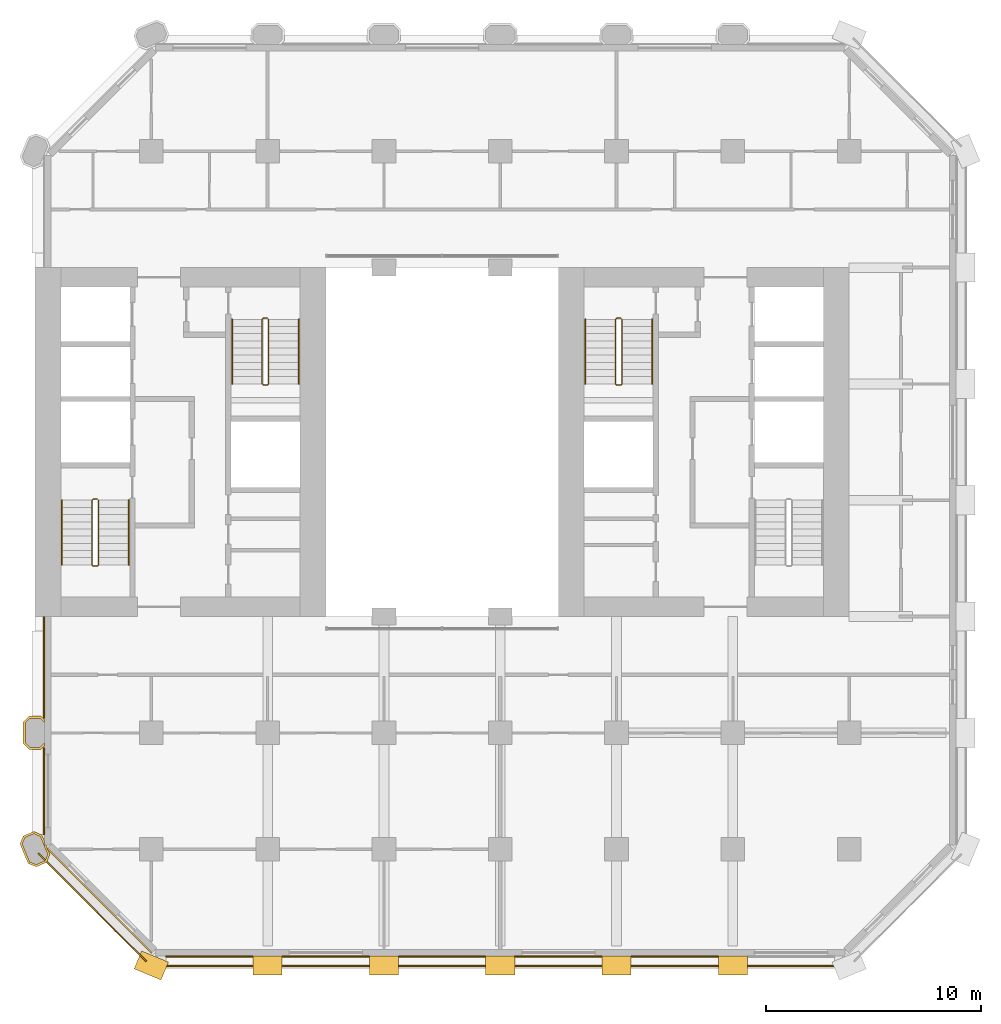
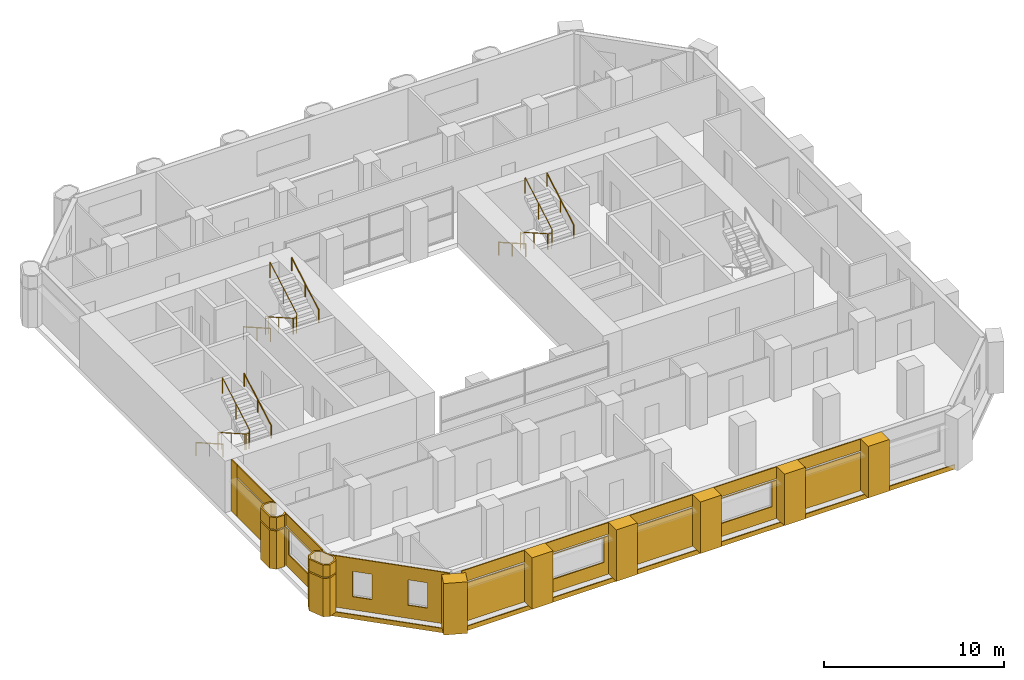
# One storey, part 12 of 13: 28 coverings, 9 railings.
"""IFC4 building model written with IfcOpenShell, lengths in metres."""

from ifc_helpers import new_model, si_unit, direction, frame, frame_2d, origin, origin_2d, place, context, subcontext, project, spatial, polyline, rectangle, circle, outline, extrude, material, layer, layer_set, type_object, element, save


model = new_model("IFC4")

# Units and contexts
model_context = context("Model", 3, precision=1e-05, world=origin(), true_north=direction((0.0, 1.0)))
body_context = subcontext(model_context, "Body", "Model", "MODEL_VIEW")
ifc_project = project(units=[si_unit("LENGTHUNIT", "METRE"), si_unit("AREAUNIT", "SQUARE_METRE"), si_unit("VOLUMEUNIT", "CUBIC_METRE"), si_unit("PLANEANGLEUNIT", "RADIAN"), si_unit("MASSUNIT", "GRAM", prefix="KILO")], contexts=[model_context])

# Site, building, storey
site_placement = place(None, origin())
site = spatial("IfcSite", under=ifc_project, at=site_placement, CompositionType="ELEMENT")
building_placement = place(site_placement, origin())
building = spatial("IfcBuilding", under=site, at=building_placement, Name="Tabaq Tower and Sports Hall", CompositionType="ELEMENT")
storey_placement = place(building_placement, frame((0.0, 0.0, 45.0)))
storey = spatial("IfcBuildingStorey", under=building, at=storey_placement, Name="L09", CompositionType="ELEMENT", Elevation=45.0)

# Coverings
ifc_material_1 = material(Name="Precast concrete C60/75", Category="concrete")
ifc_layer_1 = layer(ifc_material_1, 0.10009765625)
ifc_layer_set_1 = layer_set([ifc_layer_1], Name="Column cladding 100")
covering_type_1 = type_object("IfcCoveringType", Name="Column cladding 100", PredefinedType="CLADDING", material=ifc_layer_set_1)
covering_1_placement = place(storey_placement, origin())
element("IfcCovering", 1, at=covering_1_placement, inside=storey, type_object=covering_type_1, Name="Column cladding L09 PC-2B-O1", PredefinedType="CLADDING", context=body_context, shape_type="SweptSolid", body=[
    extrude(outline(polyline([(5.450439453125, 4.582275390625), (5.080078125, 4.73583984375), (4.7041015625, 5.6435546875), (4.857421875, 6.013916015625), (5.349609375, 6.217529296875), (5.7197265625, 6.064208984375), (5.849609375, 5.750732421875), (5.849609375, 5.586181640625), (5.91796875, 5.586181640625), (5.9814453125, 5.432373046875), (5.9501953125, 5.401123046875), (6.026123046875, 5.3251953125), (6.095947265625, 5.156494140625), (5.9423828125, 4.7861328125), (5.450439453125, 4.582275390625)]), holes=[polyline([(5.349609375, 6.110107421875), (4.93359375, 5.937744140625), (4.811767578125, 5.6435546875), (5.15625, 4.811767578125), (5.450439453125, 4.68994140625), (5.866455078125, 4.8623046875), (5.98828125, 5.156494140625), (5.643798828125, 5.98828125), (5.349609375, 6.110107421875)])]), origin(), (0.0, 0.0, 1.0), 2.60009765625),
])
covering_2_placement = place(storey_placement, frame((0.0, 0.0, 2.699951171875)))
element("IfcCovering", 2, at=covering_2_placement, inside=storey, type_object=covering_type_1, Name="Column cladding L09 PC-2B-O1 2", PredefinedType="CLADDING", context=body_context, shape_type="SweptSolid", body=[
    extrude(outline(polyline([(5.450439453125, 4.582275390625), (5.080078125, 4.73583984375), (4.7041015625, 5.6435546875), (4.857421875, 6.013916015625), (5.349609375, 6.217529296875), (5.7197265625, 6.064208984375), (5.849609375, 5.750732421875), (5.849609375, 5.586181640625), (5.91796875, 5.586181640625), (5.9814453125, 5.432373046875), (5.9501953125, 5.401123046875), (6.026123046875, 5.3251953125), (6.095947265625, 5.156494140625), (5.9423828125, 4.7861328125), (5.450439453125, 4.582275390625)]), holes=[polyline([(5.349609375, 6.110107421875), (4.93359375, 5.937744140625), (4.811767578125, 5.6435546875), (5.15625, 4.811767578125), (5.450439453125, 4.68994140625), (5.866455078125, 4.8623046875), (5.98828125, 5.156494140625), (5.643798828125, 5.98828125), (5.349609375, 6.110107421875)])]), origin(), (0.0, 0.0, 1.0), 0.800048828125),
])
covering_3_placement = place(storey_placement, origin())
element("IfcCovering", 3, at=covering_3_placement, inside=storey, type_object=covering_type_1, Name="Column cladding L09 PC-2C-O1", PredefinedType="CLADDING", context=body_context, shape_type="SweptSolid", body=[
    extrude(outline(polyline([(5.1337890625, 10.025390625), (4.850341796875, 10.30859375), (4.850341796875, 11.291259765625), (5.1337890625, 11.57470703125), (5.666259765625, 11.57470703125), (5.849609375, 11.391357421875), (5.849609375, 11.250732421875), (5.625244140625, 11.475341796875), (5.1748046875, 11.475341796875), (4.94970703125, 11.250244140625), (4.94970703125, 10.349853515625), (5.1748046875, 10.124755859375), (5.625244140625, 10.124755859375), (5.849609375, 10.349365234375), (5.849609375, 10.208740234375), (5.666259765625, 10.025390625), (5.1337890625, 10.025390625)])), origin(), (0.0, 0.0, 1.0), 2.60009765625),
])
covering_4_placement = place(storey_placement, frame((0.0, 0.0, 2.699951171875)))
element("IfcCovering", 4, at=covering_4_placement, inside=storey, type_object=covering_type_1, Name="Column cladding L09 PC-2C-O1 2", PredefinedType="CLADDING", context=body_context, shape_type="SweptSolid", body=[
    extrude(outline(polyline([(5.1337890625, 10.025390625), (4.850341796875, 10.30859375), (4.850341796875, 11.291259765625), (5.1337890625, 11.57470703125), (5.666259765625, 11.57470703125), (5.849609375, 11.391357421875), (5.849609375, 11.250732421875), (5.625244140625, 11.475341796875), (5.1748046875, 11.475341796875), (4.94970703125, 11.250244140625), (4.94970703125, 10.349853515625), (5.1748046875, 10.124755859375), (5.625244140625, 10.124755859375), (5.849609375, 10.349365234375), (5.849609375, 10.208740234375), (5.666259765625, 10.025390625), (5.1337890625, 10.025390625)])), origin(), (0.0, 0.0, 1.0), 0.800048828125),
])
ifc_material_2 = material(Name="Precast concrete C60/75", Category="concrete")
ifc_layer_2 = layer(ifc_material_2, 0.06005859375)
ifc_layer_set_2 = layer_set([ifc_layer_2], Name="Edge beam cladding 60")
covering_type_2 = type_object("IfcCoveringType", Name="Edge beam cladding 60", PredefinedType="CLADDING", material=ifc_layer_set_2)
covering_5_placement = place(storey_placement, frame((11.0986328125, -0.030029296875, -0.300048828125), z_axis=(0.0, 0.0, 1.0), x_axis=(1.0, 0.0, 0.0)))
element("IfcCovering", 5, at=covering_5_placement, inside=storey, type_object=covering_type_2, Name="Edge beam cladding L09 1", PredefinedType="CLADDING", context=body_context, shape_type="SweptSolid", body=[
    extrude(rectangle(XDim=31.802734375, YDim=0.06005859375, at=frame_2d((15.9013671875, 0.0))), origin(), (0.0, 0.0, 1.0), 0.300048828125),
])
covering_6_placement = place(storey_placement, frame((5.5556640625, 5.201904296875, -0.300048828125), z_axis=(0.0, 0.0, 1.0), x_axis=(0.707106781187, -0.707106781187, 0.0)))
element("IfcCovering", 6, at=covering_6_placement, inside=storey, type_object=covering_type_2, Name="Edge beam cladding L09 5", PredefinedType="CLADDING", context=body_context, shape_type="SweptSolid", body=[
    extrude(rectangle(XDim=7.087890625, YDim=0.06005859375, at=frame_2d((3.5439453125, 0.0))), origin(), (0.0, 0.0, 1.0), 0.300048828125),
])
ifc_material_3 = material(Name="White precast concrete C60/75", Category="concrete")
covering_type_3 = type_object("IfcCoveringType", Name="Pier cladding hung 1350x900", PredefinedType="CLADDING", material=ifc_material_3)
for number, where, z_axis, x_axis, name in (
    (7, (10.17626953125, 0.25830078125, 0.0), (0.0, 0.0, 1.0), (0.923893411637, -0.382649923473, 0.0), "Hung pier cladding 2/0"),
    (8, (15.52490234375, 0.0, 0.0), (0.0, 0.0, 1.0), (1.0, 0.0, 0.0), "Hung pier cladding 3/0"),
):
    element("IfcCovering", number, at=place(storey_placement, frame(where, z_axis=z_axis, x_axis=x_axis)), inside=storey, type_object=covering_type_3, Name=name, PredefinedType="CLADDING", context=body_context, shape_type="SweptSolid", body=[
        extrude(rectangle(XDim=1.35009765625, YDim=0.89990234375, at=frame_2d((0.675048828125, 0.0))), origin(), (0.0, 0.0, 1.0), 3.5),
    ])
covering_7_placement = place(storey_placement, frame((20.925048828125, 0.0, 0.0), z_axis=(0.0, 0.0, 1.0), x_axis=(1.0, 0.0, 0.0)))
element("IfcCovering", 9, at=covering_7_placement, inside=storey, type_object=covering_type_3, Name="Hung pier cladding 4/0", PredefinedType="CLADDING", context=body_context, shape_type="SweptSolid", body=[
    extrude(rectangle(XDim=1.349853515625, YDim=0.89990234375, at=frame_2d((0.6748046875, 0.0))), origin(), (0.0, 0.0, 1.0), 3.5),
])
covering_8_placement = place(storey_placement, frame((26.324951171875, 0.0, 0.0), z_axis=(0.0, 0.0, 1.0), x_axis=(1.0, 0.0, 0.0)))
element("IfcCovering", 10, at=covering_8_placement, inside=storey, type_object=covering_type_3, Name="Hung pier cladding 5/0", PredefinedType="CLADDING", context=body_context, shape_type="SweptSolid", body=[
    extrude(rectangle(XDim=1.35009765625, YDim=0.89990234375, at=frame_2d((0.675048828125, 0.0))), origin(), (0.0, 0.0, 1.0), 3.5),
])
covering_9_placement = place(storey_placement, frame((31.72509765625, 0.0, 0.0), z_axis=(0.0, 0.0, 1.0), x_axis=(1.0, 0.0, 0.0)))
element("IfcCovering", 11, at=covering_9_placement, inside=storey, type_object=covering_type_3, Name="Hung pier cladding 6/0", PredefinedType="CLADDING", context=body_context, shape_type="SweptSolid", body=[
    extrude(rectangle(XDim=1.349853515625, YDim=0.89990234375, at=frame_2d((0.6748046875, 0.0))), origin(), (0.0, 0.0, 1.0), 3.5),
])
covering_10_placement = place(storey_placement, frame((37.125, 0.0, 0.0), z_axis=(0.0, 0.0, 1.0), x_axis=(1.0, 0.0, 0.0)))
element("IfcCovering", 12, at=covering_10_placement, inside=storey, type_object=covering_type_3, Name="Hung pier cladding 7/0", PredefinedType="CLADDING", context=body_context, shape_type="SweptSolid", body=[
    extrude(rectangle(XDim=1.35009765625, YDim=0.89990234375, at=frame_2d((0.675048828125, 0.0))), origin(), (0.0, 0.0, 1.0), 3.5),
])

# Railings
ifc_material_4 = material(Name="Stainless steel", Category="steel")
railing_type_1 = type_object("IfcRailingType", Name="Stair guard", PredefinedType="GUARDRAIL", material=ifc_material_4)
railing_1_placement = place(storey_placement, frame((8.300048828125, 21.64990234375, 0.0)))
element("IfcRailing", 13, at=railing_1_placement, inside=storey, type_object=railing_type_1, Name="L09 ST1 stair guard 1", PredefinedType="GUARDRAIL", context=body_context, shape_type="SweptSolid", body=[
    extrude(circle(Radius=0.02392578125, at=origin_2d()), frame((0.0, 0.0, 1.076171875), z_axis=(-1.0, 0.0, 0.0), x_axis=(0.0, -1.0, 0.0)), (0.0, 0.0, 1.0), 0.199951171875),
    extrude(circle(Radius=0.02392578125, at=origin_2d()), frame((-0.199951171875, 0.0, 1.076171875), z_axis=(-0.246983470365, -0.245778672949, 0.937332389972), x_axis=(0.705375805398, -0.708833529934, 0.0)), (0.0, 0.0, 1.0), 0.20263671875),
    extrude(circle(Radius=0.02392578125, at=origin_2d()), frame((-0.25, -0.0498046875, 1.26611328125), z_axis=(0.0, -0.868782136927, 0.495194505781), x_axis=(1.0, 0.0, 0.0)), (0.0, 0.0, 1.0), 3.453125),
    extrude(circle(Radius=0.02392578125, at=origin_2d()), frame((-0.25, -3.0498046875, 2.97607421875), z_axis=(0.707106781187, -0.707106781187, 0.0), x_axis=(0.707106781187, 0.707106781187, 0.0)), (0.0, 0.0, 1.0), 0.07080078125),
    extrude(circle(Radius=0.02392578125, at=origin_2d()), frame((-0.199951171875, -3.099853515625, 2.97607421875), z_axis=(1.0, 0.0, 0.0), x_axis=(0.0, 1.0, 0.0)), (0.0, 0.0, 1.0), 0.199951171875),
    extrude(circle(Radius=0.02392578125, at=origin_2d()), frame((0.0, -3.099853515625, 2.97607421875), z_axis=(0.246631811833, 0.246631811833, 0.937200884967), x_axis=(-0.707106781187, 0.707106781187, 0.0)), (0.0, 0.0, 1.0), 0.202880859375),
    extrude(circle(Radius=0.02392578125, at=origin_2d()), frame((0.050048828125, -3.0498046875, 3.166015625), z_axis=(0.0, 0.868782136927, 0.495194505781), x_axis=(-1.0, 0.0, 0.0)), (0.0, 0.0, 1.0), 3.453125),
    extrude(circle(Radius=0.02099609375, at=origin_2d()), origin(), (0.0, 0.0, 1.0), 1.052001953125),
    extrude(circle(Radius=0.02099609375, at=origin_2d()), frame((-0.199951171875, 0.0, 0.0)), (0.0, 0.0, 1.0), 1.052001953125),
    extrude(circle(Radius=0.02099609375, at=origin_2d()), frame((-0.25, -0.0498046875, 0.18994140625)), (0.0, 0.0, 1.0), 1.052001953125),
    extrude(circle(Radius=0.02099609375, at=origin_2d()), frame((-0.25, -1.5498046875, 1.044921875)), (0.0, 0.0, 1.0), 1.052001953125),
    extrude(circle(Radius=0.02099609375, at=origin_2d()), frame((-0.25, -3.0498046875, 1.89990234375)), (0.0, 0.0, 1.0), 1.052001953125),
    extrude(circle(Radius=0.02099609375, at=origin_2d()), frame((-0.199951171875, -3.099853515625, 1.89990234375)), (0.0, 0.0, 1.0), 1.052001953125),
    extrude(circle(Radius=0.02099609375, at=origin_2d()), frame((0.0, -3.099853515625, 1.89990234375)), (0.0, 0.0, 1.0), 1.052001953125),
    extrude(circle(Radius=0.02099609375, at=origin_2d()), frame((0.050048828125, -3.0498046875, 2.090087890625)), (0.0, 0.0, 1.0), 1.052001953125),
    extrude(circle(Radius=0.02099609375, at=origin_2d()), frame((0.050048828125, -1.5498046875, 2.945068359375)), (0.0, 0.0, 1.0), 1.052001953125),
    extrude(circle(Radius=0.02099609375, at=origin_2d()), frame((0.050048828125, -0.0498046875, 3.800048828125)), (0.0, 0.0, 1.0), 1.052001953125),
])
railing_2_placement = place(storey_placement, frame((16.199951171875, 30.050048828125, 0.0)))
element("IfcRailing", 14, at=railing_2_placement, inside=storey, type_object=railing_type_1, Name="L09 ST2 stair guard 1", PredefinedType="GUARDRAIL", context=body_context, shape_type="SweptSolid", body=[
    extrude(circle(Radius=0.02392578125, at=origin_2d()), frame((0.0, 0.0, 1.076171875), z_axis=(-1.0, 0.0, 0.0), x_axis=(0.0, -1.0, 0.0)), (0.0, 0.0, 1.0), 0.199951171875),
    extrude(circle(Radius=0.02392578125, at=origin_2d()), frame((-0.199951171875, 0.0, 1.076171875), z_axis=(-0.246910188598, -0.246910188598, 0.937054276727), x_axis=(0.707106781187, -0.707106781187, 0.0)), (0.0, 0.0, 1.0), 0.20263671875),
    extrude(circle(Radius=0.02392578125, at=origin_2d()), frame((-0.25, -0.050048828125, 1.26611328125), z_axis=(0.0, -0.868782136927, 0.495194505781), x_axis=(1.0, 0.0, 0.0)), (0.0, 0.0, 1.0), 3.453125),
    extrude(circle(Radius=0.02392578125, at=origin_2d()), frame((-0.25, -3.050048828125, 2.97607421875), z_axis=(0.707106781187, -0.707106781187, 0.0), x_axis=(0.707106781187, 0.707106781187, 0.0)), (0.0, 0.0, 1.0), 0.07080078125),
    extrude(circle(Radius=0.02392578125, at=origin_2d()), frame((-0.199951171875, -3.10009765625, 2.97607421875), z_axis=(1.0, 0.0, 0.0), x_axis=(0.0, 1.0, 0.0)), (0.0, 0.0, 1.0), 0.199951171875),
    extrude(circle(Radius=0.02392578125, at=origin_2d()), frame((0.0, -3.10009765625, 2.97607421875), z_axis=(0.246631811833, 0.246631811833, 0.937200884967), x_axis=(-0.707106781187, 0.707106781187, 0.0)), (0.0, 0.0, 1.0), 0.202880859375),
    extrude(circle(Radius=0.02392578125, at=origin_2d()), frame((0.050048828125, -3.050048828125, 3.166015625), z_axis=(0.0, 0.868782136927, 0.495194505781), x_axis=(-1.0, 0.0, 0.0)), (0.0, 0.0, 1.0), 3.453125),
    extrude(circle(Radius=0.02099609375, at=origin_2d()), origin(), (0.0, 0.0, 1.0), 1.052001953125),
    extrude(circle(Radius=0.02099609375, at=origin_2d()), frame((-0.199951171875, 0.0, 0.0)), (0.0, 0.0, 1.0), 1.052001953125),
    extrude(circle(Radius=0.02099609375, at=origin_2d()), frame((-0.25, -0.050048828125, 0.18994140625)), (0.0, 0.0, 1.0), 1.052001953125),
    extrude(circle(Radius=0.02099609375, at=origin_2d()), frame((-0.25, -1.550048828125, 1.044921875)), (0.0, 0.0, 1.0), 1.052001953125),
    extrude(circle(Radius=0.02099609375, at=origin_2d()), frame((-0.25, -3.050048828125, 1.89990234375)), (0.0, 0.0, 1.0), 1.052001953125),
    extrude(circle(Radius=0.02099609375, at=origin_2d()), frame((-0.199951171875, -3.10009765625, 1.89990234375)), (0.0, 0.0, 1.0), 1.052001953125),
    extrude(circle(Radius=0.02099609375, at=origin_2d()), frame((0.0, -3.10009765625, 1.89990234375)), (0.0, 0.0, 1.0), 1.052001953125),
    extrude(circle(Radius=0.02099609375, at=origin_2d()), frame((0.050048828125, -3.050048828125, 2.090087890625)), (0.0, 0.0, 1.0), 1.052001953125),
    extrude(circle(Radius=0.02099609375, at=origin_2d()), frame((0.050048828125, -1.550048828125, 2.945068359375)), (0.0, 0.0, 1.0), 1.052001953125),
    extrude(circle(Radius=0.02099609375, at=origin_2d()), frame((0.050048828125, -0.050048828125, 3.800048828125)), (0.0, 0.0, 1.0), 1.052001953125),
])
railing_3_placement = place(storey_placement, frame((32.60009765625, 30.050048828125, 0.0)))
element("IfcRailing", 15, at=railing_3_placement, inside=storey, type_object=railing_type_1, Name="L09 ST4 stair guard 1", PredefinedType="GUARDRAIL", context=body_context, shape_type="SweptSolid", body=[
    extrude(circle(Radius=0.02392578125, at=origin_2d()), frame((0.0, 0.0, 1.076171875), z_axis=(-1.0, 0.0, 0.0), x_axis=(0.0, -1.0, 0.0)), (0.0, 0.0, 1.0), 0.2001953125),
    extrude(circle(Radius=0.02392578125, at=origin_2d()), frame((-0.2001953125, 0.0, 1.076171875), z_axis=(-0.245778672949, -0.246983470365, 0.937332389972), x_axis=(0.708833529934, -0.705375805398, 0.0)), (0.0, 0.0, 1.0), 0.20263671875),
    extrude(circle(Radius=0.02392578125, at=origin_2d()), frame((-0.25, -0.050048828125, 1.26611328125), z_axis=(0.0, -0.868782136927, 0.495194505781), x_axis=(1.0, 0.0, 0.0)), (0.0, 0.0, 1.0), 3.453125),
    extrude(circle(Radius=0.02392578125, at=origin_2d()), frame((-0.25, -3.050048828125, 2.97607421875), z_axis=(0.705375805398, -0.708833529934, 0.0), x_axis=(0.708833529934, 0.705375805398, 0.0)), (0.0, 0.0, 1.0), 0.070556640625),
    extrude(circle(Radius=0.02392578125, at=origin_2d()), frame((-0.2001953125, -3.10009765625, 2.97607421875), z_axis=(1.0, 0.0, 0.0), x_axis=(0.0, 1.0, 0.0)), (0.0, 0.0, 1.0), 0.2001953125),
    extrude(circle(Radius=0.02392578125, at=origin_2d()), frame((0.0, -3.10009765625, 2.97607421875), z_axis=(0.245501407671, 0.246704845944, 0.937478414588), x_axis=(-0.708833529934, 0.705375805398, 0.0)), (0.0, 0.0, 1.0), 0.202880859375),
    extrude(circle(Radius=0.02392578125, at=origin_2d()), frame((0.0498046875, -3.050048828125, 3.166015625), z_axis=(0.0, 0.868782136927, 0.495194505781), x_axis=(-1.0, 0.0, 0.0)), (0.0, 0.0, 1.0), 3.453125),
    extrude(circle(Radius=0.02099609375, at=origin_2d()), origin(), (0.0, 0.0, 1.0), 1.052001953125),
    extrude(circle(Radius=0.02099609375, at=origin_2d()), frame((-0.2001953125, 0.0, 0.0)), (0.0, 0.0, 1.0), 1.052001953125),
    extrude(circle(Radius=0.02099609375, at=origin_2d()), frame((-0.25, -0.050048828125, 0.18994140625)), (0.0, 0.0, 1.0), 1.052001953125),
    extrude(circle(Radius=0.02099609375, at=origin_2d()), frame((-0.25, -1.550048828125, 1.044921875)), (0.0, 0.0, 1.0), 1.052001953125),
    extrude(circle(Radius=0.02099609375, at=origin_2d()), frame((-0.25, -3.050048828125, 1.89990234375)), (0.0, 0.0, 1.0), 1.052001953125),
    extrude(circle(Radius=0.02099609375, at=origin_2d()), frame((-0.2001953125, -3.10009765625, 1.89990234375)), (0.0, 0.0, 1.0), 1.052001953125),
    extrude(circle(Radius=0.02099609375, at=origin_2d()), frame((0.0, -3.10009765625, 1.89990234375)), (0.0, 0.0, 1.0), 1.052001953125),
    extrude(circle(Radius=0.02099609375, at=origin_2d()), frame((0.0498046875, -3.050048828125, 2.090087890625)), (0.0, 0.0, 1.0), 1.052001953125),
    extrude(circle(Radius=0.02099609375, at=origin_2d()), frame((0.0498046875, -1.550048828125, 2.945068359375)), (0.0, 0.0, 1.0), 1.052001953125),
    extrude(circle(Radius=0.02099609375, at=origin_2d()), frame((0.0498046875, -0.050048828125, 3.800048828125)), (0.0, 0.0, 1.0), 1.052001953125),
])
ifc_material_5 = material(Name="Stainless steel", Category="steel")
railing_type_2 = type_object("IfcRailingType", Name="Stair handrail", PredefinedType="HANDRAIL", material=ifc_material_5)
railing_4_placement = place(storey_placement, frame((6.64990234375, 21.60009765625, 0.18994140625)))
element("IfcRailing", 16, at=railing_4_placement, inside=storey, type_object=railing_type_2, Name="L09 ST1 stair handrail 1", PredefinedType="HANDRAIL", context=body_context, shape_type="SweptSolid", body=[
    extrude(circle(Radius=0.02392578125, at=origin_2d()), frame((0.0, 0.0, 0.8759765625), z_axis=(0.0, -0.868782136927, 0.495194505781), x_axis=(1.0, 0.0, 0.0)), (0.0, 0.0, 1.0), 3.453125),
    extrude(circle(Radius=0.02099609375, at=origin_2d()), origin(), (0.0, 0.0, 1.0), 0.851806640625),
    extrude(circle(Radius=0.02099609375, at=origin_2d()), frame((0.0, -1.5, 0.85498046875)), (0.0, 0.0, 1.0), 0.851806640625),
    extrude(circle(Radius=0.02099609375, at=origin_2d()), frame((0.0, -3.0, 1.7099609375)), (0.0, 0.0, 1.0), 0.851806640625),
])
railing_5_placement = place(storey_placement, frame((9.75, 18.60009765625, 2.090087890625)))
element("IfcRailing", 17, at=railing_5_placement, inside=storey, type_object=railing_type_2, Name="L09 ST1 stair handrail 2", PredefinedType="HANDRAIL", context=body_context, shape_type="SweptSolid", body=[
    extrude(circle(Radius=0.02392578125, at=origin_2d()), frame((0.0, 0.0, 0.8759765625), z_axis=(0.0, 0.868782136927, 0.495194505781), x_axis=(-1.0, 0.0, 0.0)), (0.0, 0.0, 1.0), 3.453125),
    extrude(circle(Radius=0.02099609375, at=origin_2d()), origin(), (0.0, 0.0, 1.0), 0.851806640625),
    extrude(circle(Radius=0.02099609375, at=origin_2d()), frame((0.0, 1.5, 0.85498046875)), (0.0, 0.0, 1.0), 0.851806640625),
    extrude(circle(Radius=0.02099609375, at=origin_2d()), frame((0.0, 3.0, 1.7099609375)), (0.0, 0.0, 1.0), 0.851806640625),
])
railing_6_placement = place(storey_placement, frame((14.550048828125, 30.0, 0.18994140625)))
element("IfcRailing", 18, at=railing_6_placement, inside=storey, type_object=railing_type_2, Name="L09 ST2 stair handrail 1", PredefinedType="HANDRAIL", context=body_context, shape_type="SweptSolid", body=[
    extrude(circle(Radius=0.02392578125, at=origin_2d()), frame((0.0, 0.0, 0.8759765625), z_axis=(0.0, -0.868782136927, 0.495194505781), x_axis=(1.0, 0.0, 0.0)), (0.0, 0.0, 1.0), 3.453125),
    extrude(circle(Radius=0.02099609375, at=origin_2d()), origin(), (0.0, 0.0, 1.0), 0.851806640625),
    extrude(circle(Radius=0.02099609375, at=origin_2d()), frame((0.0, -1.5, 0.85498046875)), (0.0, 0.0, 1.0), 0.851806640625),
    extrude(circle(Radius=0.02099609375, at=origin_2d()), frame((0.0, -3.0, 1.7099609375)), (0.0, 0.0, 1.0), 0.851806640625),
])
railing_7_placement = place(storey_placement, frame((17.64990234375, 27.0, 2.090087890625)))
element("IfcRailing", 19, at=railing_7_placement, inside=storey, type_object=railing_type_2, Name="L09 ST2 stair handrail 2", PredefinedType="HANDRAIL", context=body_context, shape_type="SweptSolid", body=[
    extrude(circle(Radius=0.02392578125, at=origin_2d()), frame((0.0, 0.0, 0.8759765625), z_axis=(0.0, 0.868782136927, 0.495194505781), x_axis=(-1.0, 0.0, 0.0)), (0.0, 0.0, 1.0), 3.453125),
    extrude(circle(Radius=0.02099609375, at=origin_2d()), origin(), (0.0, 0.0, 1.0), 0.851806640625),
    extrude(circle(Radius=0.02099609375, at=origin_2d()), frame((0.0, 1.5, 0.85498046875)), (0.0, 0.0, 1.0), 0.851806640625),
    extrude(circle(Radius=0.02099609375, at=origin_2d()), frame((0.0, 3.0, 1.7099609375)), (0.0, 0.0, 1.0), 0.851806640625),
])
railing_8_placement = place(storey_placement, frame((30.949951171875, 30.0, 0.18994140625)))
element("IfcRailing", 20, at=railing_8_placement, inside=storey, type_object=railing_type_2, Name="L09 ST4 stair handrail 1", PredefinedType="HANDRAIL", context=body_context, shape_type="SweptSolid", body=[
    extrude(circle(Radius=0.02392578125, at=origin_2d()), frame((0.0, 0.0, 0.8759765625), z_axis=(0.0, -0.868782136927, 0.495194505781), x_axis=(1.0, 0.0, 0.0)), (0.0, 0.0, 1.0), 3.453125),
    extrude(circle(Radius=0.02099609375, at=origin_2d()), origin(), (0.0, 0.0, 1.0), 0.851806640625),
    extrude(circle(Radius=0.02099609375, at=origin_2d()), frame((0.0, -1.5, 0.85498046875)), (0.0, 0.0, 1.0), 0.851806640625),
    extrude(circle(Radius=0.02099609375, at=origin_2d()), frame((0.0, -3.0, 1.7099609375)), (0.0, 0.0, 1.0), 0.851806640625),
])
railing_9_placement = place(storey_placement, frame((34.050048828125, 27.0, 2.090087890625)))
element("IfcRailing", 21, at=railing_9_placement, inside=storey, type_object=railing_type_2, Name="L09 ST4 stair handrail 2", PredefinedType="HANDRAIL", context=body_context, shape_type="SweptSolid", body=[
    extrude(circle(Radius=0.02392578125, at=origin_2d()), frame((0.0, 0.0, 0.8759765625), z_axis=(0.0, 0.868782136927, 0.495194505781), x_axis=(-1.0, 0.0, 0.0)), (0.0, 0.0, 1.0), 3.453125),
    extrude(circle(Radius=0.02099609375, at=origin_2d()), origin(), (0.0, 0.0, 1.0), 0.851806640625),
    extrude(circle(Radius=0.02099609375, at=origin_2d()), frame((0.0, 1.5, 0.85498046875)), (0.0, 0.0, 1.0), 0.851806640625),
    extrude(circle(Radius=0.02099609375, at=origin_2d()), frame((0.0, 3.0, 1.7099609375)), (0.0, 0.0, 1.0), 0.851806640625),
])

# Coverings
ifc_material_6 = material(Name="Precast concrete C60/75", Category="concrete")
ifc_layer_3 = layer(ifc_material_6, 0.06005859375)
ifc_layer_set_3 = layer_set([ifc_layer_3], Name="White precast cladding panel 60 C60/75")
covering_type_4 = type_object("IfcCoveringType", Name="White precast cladding panel 60 C60/75", PredefinedType="CLADDING", material=ifc_layer_set_3)
covering_11_placement = place(storey_placement, frame((11.465087890625, 0.419921875, 0.0), z_axis=(0.0, 0.0, 1.0), x_axis=(1.0, 0.0, 0.0)))
element("IfcCovering", 22, at=covering_11_placement, inside=storey, type_object=covering_type_4, Name="White precast cladding panel L09 wall00", PredefinedType="CLADDING", context=body_context, shape_type="SweptSolid", body=[
    extrude(rectangle(XDim=4.0498046875, YDim=0.06005859375, at=frame_2d((2.02490234375, 0.0))), origin(), (0.0, 0.0, 1.0), 2.590087890625),
])
covering_12_placement = place(storey_placement, frame((11.465087890625, 0.419921875, 2.7099609375), z_axis=(0.0, 0.0, 1.0), x_axis=(1.0, 0.0, 0.0)))
element("IfcCovering", 23, at=covering_12_placement, inside=storey, type_object=covering_type_4, Name="White precast cladding panel L09 wall00 2", PredefinedType="CLADDING", context=body_context, shape_type="SweptSolid", body=[
    extrude(rectangle(XDim=4.0498046875, YDim=0.06005859375, at=frame_2d((2.02490234375, 0.0))), origin(), (0.0, 0.0, 1.0), 0.7900390625),
])
covering_13_placement = place(storey_placement, frame((16.885009765625, 0.419921875, 0.0), z_axis=(0.0, 0.0, 1.0), x_axis=(1.0, 0.0, 0.0)))
element("IfcCovering", 24, at=covering_13_placement, inside=storey, type_object=covering_type_4, Name="White precast cladding panel L09 wall00 3", PredefinedType="CLADDING", context=body_context, shape_type="SweptSolid", body=[
    extrude(outline(polyline([(0.0, 0.0), (4.030029296875, 0.0), (4.030029296875, 2.590087890625), (0.0, 2.590087890625), (0.0, 0.0)]), holes=[polyline([(3.72509765625, 0.889892578125), (0.304931640625, 0.889892578125), (0.304931640625, 2.56005859375), (3.72509765625, 2.56005859375), (3.72509765625, 0.889892578125)])]), frame((0.0, 0.030029296875, 0.0), z_axis=(0.0, -1.0, 0.0), x_axis=(1.0, 0.0, 0.0)), (0.0, 0.0, 1.0), 0.06005859375),
])
covering_14_placement = place(storey_placement, frame((16.885009765625, 0.419921875, 2.7099609375), z_axis=(0.0, 0.0, 1.0), x_axis=(1.0, 0.0, 0.0)))
element("IfcCovering", 25, at=covering_14_placement, inside=storey, type_object=covering_type_4, Name="White precast cladding panel L09 wall00 4", PredefinedType="CLADDING", context=body_context, shape_type="SweptSolid", body=[
    extrude(rectangle(XDim=4.030029296875, YDim=0.06005859375, at=frame_2d((2.01513671875, 0.0))), origin(), (0.0, 0.0, 1.0), 0.7900390625),
])
covering_15_placement = place(storey_placement, frame((22.284912109375, 0.419921875, 0.0), z_axis=(0.0, 0.0, 1.0), x_axis=(1.0, 0.0, 0.0)))
element("IfcCovering", 26, at=covering_15_placement, inside=storey, type_object=covering_type_4, Name="White precast cladding panel L09 wall00 5", PredefinedType="CLADDING", context=body_context, shape_type="SweptSolid", body=[
    extrude(rectangle(XDim=4.030029296875, YDim=0.06005859375, at=frame_2d((2.01513671875, 0.0))), origin(), (0.0, 0.0, 1.0), 2.590087890625),
])
covering_16_placement = place(storey_placement, frame((22.284912109375, 0.419921875, 2.7099609375), z_axis=(0.0, 0.0, 1.0), x_axis=(1.0, 0.0, 0.0)))
element("IfcCovering", 27, at=covering_16_placement, inside=storey, type_object=covering_type_4, Name="White precast cladding panel L09 wall00 6", PredefinedType="CLADDING", context=body_context, shape_type="SweptSolid", body=[
    extrude(rectangle(XDim=4.030029296875, YDim=0.06005859375, at=frame_2d((2.01513671875, 0.0))), origin(), (0.0, 0.0, 1.0), 0.7900390625),
])
covering_17_placement = place(storey_placement, frame((27.68505859375, 0.419921875, 0.0), z_axis=(0.0, 0.0, 1.0), x_axis=(1.0, 0.0, 0.0)))
element("IfcCovering", 28, at=covering_17_placement, inside=storey, type_object=covering_type_4, Name="White precast cladding panel L09 wall00 7", PredefinedType="CLADDING", context=body_context, shape_type="SweptSolid", body=[
    extrude(outline(polyline([(0.0, 0.0), (4.030029296875, 0.0), (4.030029296875, 2.590087890625), (0.0, 2.590087890625), (0.0, 0.0)]), holes=[polyline([(3.72509765625, 0.889892578125), (0.304931640625, 0.889892578125), (0.304931640625, 2.56005859375), (3.72509765625, 2.56005859375), (3.72509765625, 0.889892578125)])]), frame((0.0, 0.030029296875, 0.0), z_axis=(0.0, -1.0, 0.0), x_axis=(1.0, 0.0, 0.0)), (0.0, 0.0, 1.0), 0.06005859375),
])
covering_18_placement = place(storey_placement, frame((27.68505859375, 0.419921875, 2.7099609375), z_axis=(0.0, 0.0, 1.0), x_axis=(1.0, 0.0, 0.0)))
element("IfcCovering", 29, at=covering_18_placement, inside=storey, type_object=covering_type_4, Name="White precast cladding panel L09 wall00 8", PredefinedType="CLADDING", context=body_context, shape_type="SweptSolid", body=[
    extrude(rectangle(XDim=4.030029296875, YDim=0.06005859375, at=frame_2d((2.01513671875, 0.0))), origin(), (0.0, 0.0, 1.0), 0.7900390625),
])
covering_19_placement = place(storey_placement, frame((33.0849609375, 0.419921875, 0.0), z_axis=(0.0, 0.0, 1.0), x_axis=(1.0, 0.0, 0.0)))
element("IfcCovering", 30, at=covering_19_placement, inside=storey, type_object=covering_type_4, Name="White precast cladding panel L09 wall00 9", PredefinedType="CLADDING", context=body_context, shape_type="SweptSolid", body=[
    extrude(rectangle(XDim=4.030029296875, YDim=0.06005859375, at=frame_2d((2.01513671875, 0.0))), origin(), (0.0, 0.0, 1.0), 2.590087890625),
])
covering_20_placement = place(storey_placement, frame((33.0849609375, 0.419921875, 2.7099609375), z_axis=(0.0, 0.0, 1.0), x_axis=(1.0, 0.0, 0.0)))
element("IfcCovering", 31, at=covering_20_placement, inside=storey, type_object=covering_type_4, Name="White precast cladding panel L09 wall00 10", PredefinedType="CLADDING", context=body_context, shape_type="SweptSolid", body=[
    extrude(rectangle(XDim=4.030029296875, YDim=0.06005859375, at=frame_2d((2.01513671875, 0.0))), origin(), (0.0, 0.0, 1.0), 0.7900390625),
])
covering_21_placement = place(storey_placement, frame((5.820068359375, 16.199951171875, 0.0), z_axis=(0.0, 0.0, 1.0), x_axis=(0.0, -1.0, 0.0)))
element("IfcCovering", 32, at=covering_21_placement, inside=storey, type_object=covering_type_4, Name="White precast cladding panel L09 wall06-1", PredefinedType="CLADDING", context=body_context, shape_type="SweptSolid", body=[
    extrude(rectangle(XDim=0.6650390625, YDim=0.06005859375, at=frame_2d((0.33251953125, 0.0))), origin(), (0.0, 0.0, 1.0), 3.5),
])
covering_22_placement = place(storey_placement, frame((5.820068359375, 15.534912109375, 0.0), z_axis=(0.0, 0.0, 1.0), x_axis=(0.0, -1.0, 0.0)))
element("IfcCovering", 33, at=covering_22_placement, inside=storey, type_object=covering_type_4, Name="White precast cladding panel L09 wall06-1 2", PredefinedType="CLADDING", context=body_context, shape_type="SweptSolid", body=[
    extrude(rectangle(XDim=4.0498046875, YDim=0.06005859375, at=frame_2d((2.02490234375, 0.0))), origin(), (0.0, 0.0, 1.0), 2.590087890625),
])
covering_23_placement = place(storey_placement, frame((5.820068359375, 15.534912109375, 2.7099609375), z_axis=(0.0, 0.0, 1.0), x_axis=(0.0, -1.0, 0.0)))
element("IfcCovering", 34, at=covering_23_placement, inside=storey, type_object=covering_type_4, Name="White precast cladding panel L09 wall06-1 3", PredefinedType="CLADDING", context=body_context, shape_type="SweptSolid", body=[
    extrude(rectangle(XDim=4.0498046875, YDim=0.06005859375, at=frame_2d((2.02490234375, 0.0))), origin(), (0.0, 0.0, 1.0), 0.7900390625),
])
covering_24_placement = place(storey_placement, frame((5.820068359375, 10.114990234375, 0.0), z_axis=(0.0, 0.0, 1.0), x_axis=(0.0, -1.0, 0.0)))
element("IfcCovering", 35, at=covering_24_placement, inside=storey, type_object=covering_type_4, Name="White precast cladding panel L09 wall06-1 4", PredefinedType="CLADDING", context=body_context, shape_type="SweptSolid", body=[
    extrude(outline(polyline([(0.0, 0.0), (4.050048828125, 0.0), (4.050048828125, 2.590087890625), (0.0, 2.590087890625), (0.0, 0.0)]), holes=[polyline([(3.72509765625, 0.889892578125), (0.304931640625, 0.889892578125), (0.304931640625, 2.56005859375), (3.72509765625, 2.56005859375), (3.72509765625, 0.889892578125)])]), frame((0.0, 0.030029296875, 0.0), z_axis=(0.0, -1.0, 0.0), x_axis=(1.0, 0.0, 0.0)), (0.0, 0.0, 1.0), 0.06005859375),
])
covering_25_placement = place(storey_placement, frame((5.820068359375, 10.114990234375, 2.7099609375), z_axis=(0.0, 0.0, 1.0), x_axis=(0.0, -1.0, 0.0)))
element("IfcCovering", 36, at=covering_25_placement, inside=storey, type_object=covering_type_4, Name="White precast cladding panel L09 wall06-1 5", PredefinedType="CLADDING", context=body_context, shape_type="SweptSolid", body=[
    extrude(rectangle(XDim=4.050048828125, YDim=0.06005859375, at=frame_2d((2.02490234375, 0.0))), origin(), (0.0, 0.0, 1.0), 0.7900390625),
])
covering_26_placement = place(storey_placement, frame((5.9716796875, 5.42236328125, 0.0), z_axis=(0.0, 0.0, 1.0), x_axis=(0.707106781187, -0.707106781187, 0.0)))
element("IfcCovering", 37, at=covering_26_placement, inside=storey, type_object=covering_type_4, Name="White precast cladding panel L09 wall07", PredefinedType="CLADDING", context=body_context, shape_type="SweptSolid", body=[
    extrude(outline(polyline([(0.0, 0.0), (6.85986328125, 0.0), (6.85986328125, 3.5), (0.0, 3.5), (0.0, 0.0)]), holes=[polyline([(1.269775390625, 2.610107421875), (2.389892578125, 2.610107421875), (2.389892578125, 0.889892578125), (1.269775390625, 0.889892578125), (1.269775390625, 2.610107421875)]), polyline([(4.4697265625, 2.610107421875), (5.58984375, 2.610107421875), (5.58984375, 0.889892578125), (4.4697265625, 0.889892578125), (4.4697265625, 2.610107421875)])]), frame((0.0, 0.030029296875, 0.0), z_axis=(0.0, -1.0, 0.0), x_axis=(1.0, 0.0, 0.0)), (0.0, 0.0, 1.0), 0.06005859375),
])

save(model, "model.ifc")
